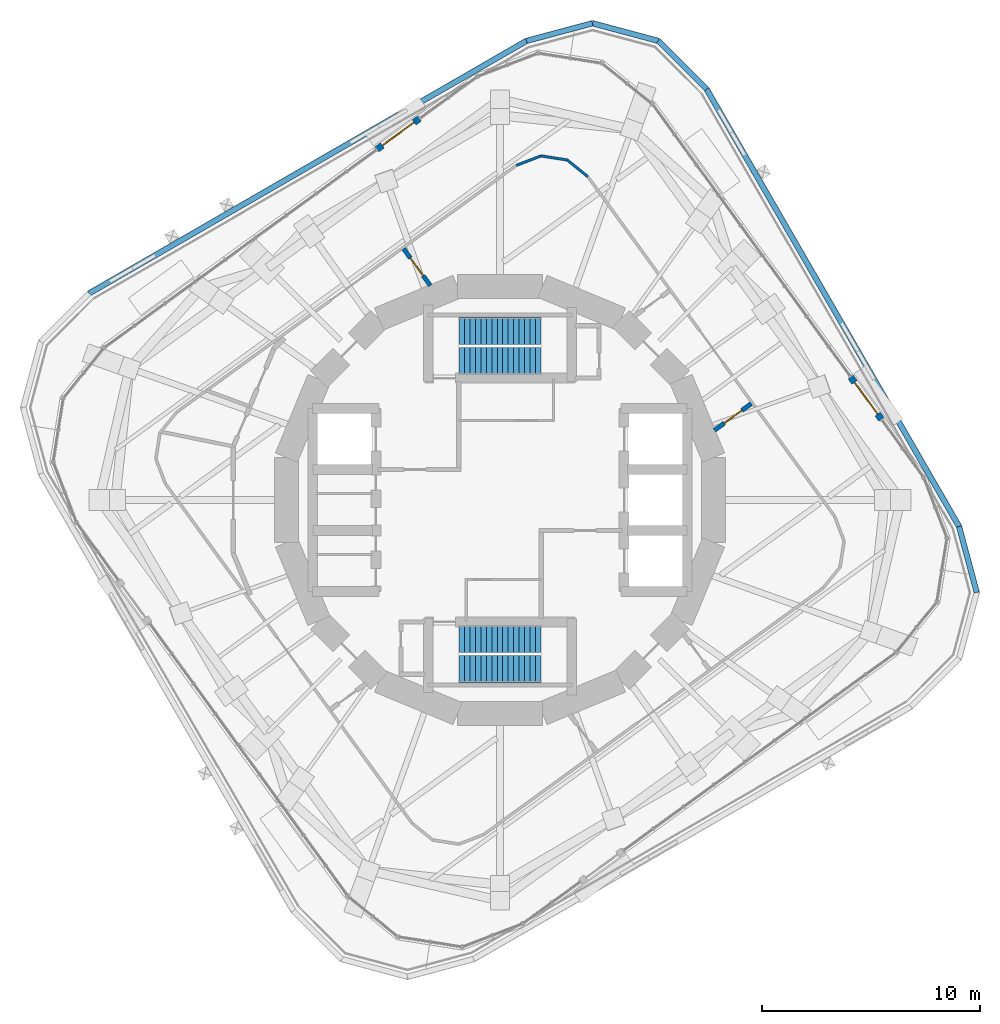
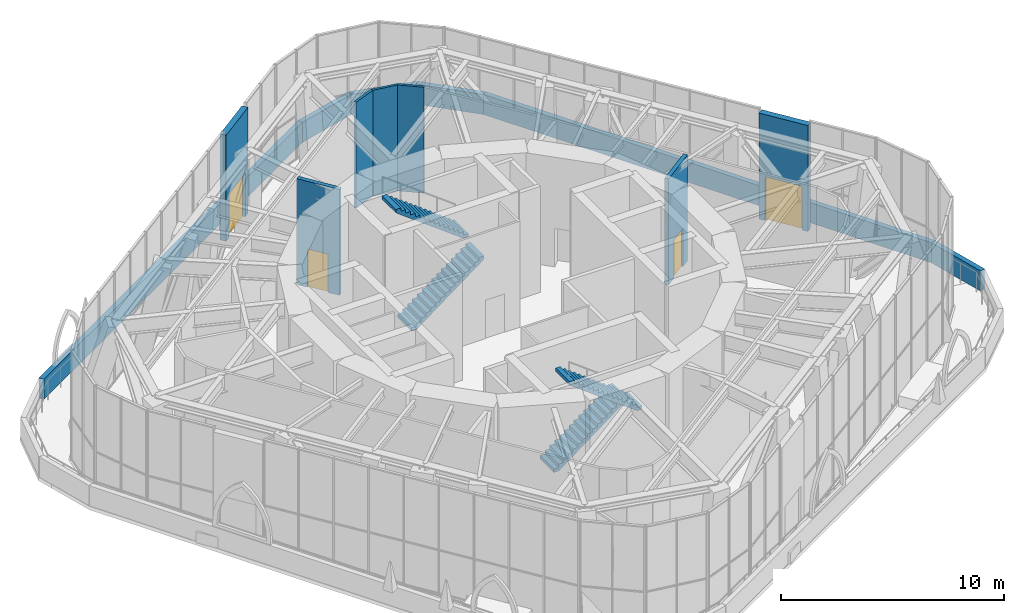
# One storey, part 15 of 18: 13 walls, 4 doors, 4 stair flights, 4 openings, 2 elements without a shape of their own.
"""IFC4 building model written with IfcOpenShell, lengths in metres."""

from ifc_helpers import new_model, si_unit, direction, frame, frame_2d, origin, place, context, subcontext, project, spatial, polyline, rectangle, outline, extrude, material, layer, layer_set, type_object, element, fill, aggregate, save


model = new_model("IFC4")

# Units and contexts
model_context = context("Model", 3, precision=1e-05, world=origin(), true_north=direction((0.0, 1.0)))
body_context = subcontext(model_context, "Body", "Model", "MODEL_VIEW")
ifc_project = project(units=[si_unit("LENGTHUNIT", "METRE"), si_unit("AREAUNIT", "SQUARE_METRE"), si_unit("VOLUMEUNIT", "CUBIC_METRE"), si_unit("PLANEANGLEUNIT", "RADIAN"), si_unit("MASSUNIT", "GRAM", prefix="KILO")], contexts=[model_context])

# Site, building, storey
site_placement = place(None, origin())
site = spatial("IfcSite", under=ifc_project, at=site_placement, CompositionType="ELEMENT")
building_placement = place(site_placement, origin())
building = spatial("IfcBuilding", under=site, at=building_placement, Name="Nakasero Lantern House", CompositionType="ELEMENT")
storey_placement = place(building_placement, frame((0.0, 0.0, 257.75)))
storey = spatial("IfcBuildingStorey", under=building, at=storey_placement, Name="L63", CompositionType="ELEMENT", Elevation=257.75)

# Wall, opening, door
ifc_material_1 = material(Name="Blockwork", Category="masonry")
ifc_layer_1 = layer(ifc_material_1, 0.199951171875)
ifc_layer_set_1 = layer_set([ifc_layer_1], Name="Corridor wall 200")
wall_type_1 = type_object("IfcWallType", Name="Corridor wall 200", PredefinedType="PARTITIONING", material=ifc_layer_set_1)
wall_1_placement = place(storey_placement, frame((-3.197021484375, 9.8466796875, 0.0), z_axis=(0.0, 0.0, 1.0), x_axis=(-0.587728553665, 0.809058185304, 0.0)))
wall_1 = element("IfcWall", 1, at=wall_1_placement, inside=storey, type_object=wall_type_1, Name="Corridor wall L63 TQ00", PredefinedType="PARTITIONING", context=body_context, shape_type="SweptSolid", body=[
    extrude(rectangle(XDim=2.096923828125, YDim=0.199951171875, at=frame_2d((1.04833984375, 0.0))), origin(), (0.0, 0.0, 1.0), 5.800048828125),
])
opening_1_placement = place(wall_1_placement, frame((0.566650390625, 0.0, 0.0)))
opening_1 = element("IfcOpeningElement", 2, at=opening_1_placement, cuts=wall_1, Name="Opening D03", PredefinedType="OPENING", context=body_context, shape_type="SweptSolid", body=[
    extrude(rectangle(XDim=1.0, YDim=2.10009765625, at=frame_2d((0.5, 1.050048828125))), frame((0.0, 0.119873046875, 0.0), z_axis=(0.0, -1.0, 0.0), x_axis=(1.0, 0.0, 0.0)), (0.0, 0.0, 1.0), 0.239990234375),
])
ifc_material_2 = material(Name="Timber C24", Category="wood")
door_type_1 = type_object("IfcDoorType", Name="Lounge door FD30S 1000", OperationType="SINGLE_SWING_LEFT", PredefinedType="DOOR", material=ifc_material_2)
door_1_placement = place(opening_1_placement, origin())
door_1 = element("IfcDoor", 3, at=door_1_placement, inside=storey, type_object=door_type_1, Name="Door L63 DQ00", OperationType="SINGLE_SWING_RIGHT", OverallHeight=2.10009765625, OverallWidth=1.0, PredefinedType="DOOR", context=body_context, shape_type="SweptSolid", body=[
    extrude(rectangle(XDim=1.0, YDim=2.10009765625, at=frame_2d((0.5, 1.050048828125))), frame((0.0, 0.02490234375, 0.0), z_axis=(0.0, -1.0, 0.0), x_axis=(1.0, 0.0, 0.0)), (0.0, 0.0, 1.0), 0.050048828125),
])
fill(opening_1, door_1)

wall_2_placement = place(storey_placement, frame((9.8466796875, 3.197021484375, 0.0), z_axis=(0.0, 0.0, 1.0), x_axis=(0.809058185304, 0.587728553665, 0.0)))
wall_2 = element("IfcWall", 4, at=wall_2_placement, inside=storey, type_object=wall_type_1, Name="Corridor wall L63 TQ31", PredefinedType="PARTITIONING", context=body_context, shape_type="SweptSolid", body=[
    extrude(rectangle(XDim=2.096923828125, YDim=0.199951171875, at=frame_2d((1.04833984375, 0.0))), origin(), (0.0, 0.0, 1.0), 5.800048828125),
])
opening_2_placement = place(wall_2_placement, frame((0.566650390625, 0.0, 0.0)))
opening_2 = element("IfcOpeningElement", 5, at=opening_2_placement, cuts=wall_2, Name="Opening D03", PredefinedType="OPENING", context=body_context, shape_type="SweptSolid", body=[
    extrude(rectangle(XDim=1.0, YDim=2.10009765625, at=frame_2d((0.5, 1.050048828125))), frame((0.0, 0.119873046875, 0.0), z_axis=(0.0, -1.0, 0.0), x_axis=(1.0, 0.0, 0.0)), (0.0, 0.0, 1.0), 0.239990234375),
])
door_2_placement = place(opening_2_placement, origin())
door_2 = element("IfcDoor", 6, at=door_2_placement, inside=storey, type_object=door_type_1, Name="Door L63 DQ31", OperationType="SINGLE_SWING_RIGHT", OverallHeight=2.10009765625, OverallWidth=1.0, PredefinedType="DOOR", context=body_context, shape_type="SweptSolid", body=[
    extrude(rectangle(XDim=1.0, YDim=2.10009765625, at=frame_2d((0.5, 1.050048828125))), frame((0.0, 0.02490234375, 0.0), z_axis=(0.0, -1.0, 0.0), x_axis=(1.0, 0.0, 0.0)), (0.0, 0.0, 1.0), 0.050048828125),
])
fill(opening_2, door_2)

ifc_material_3 = material(Name="Concrete C40/50", Category="concrete")
ifc_layer_2 = layer(ifc_material_3, 0.300048828125)
ifc_layer_set_2 = layer_set([ifc_layer_2], Name="Entrance portal wall 300")
wall_type_2 = type_object("IfcWallType", Name="Entrance portal wall 300", PredefinedType="SOLIDWALL", material=ifc_layer_set_2)
wall_3_placement = place(storey_placement, frame((17.518310546875, 3.704345703125, 0.0), z_axis=(0.0, 0.0, 1.0), x_axis=(-0.587772420479, 0.809026317077, 0.0)))
wall_3 = element("IfcWall", 7, at=wall_3_placement, inside=storey, type_object=wall_type_2, Name="Sky lounge door wall L63 0", PredefinedType="SOLIDWALL", context=body_context, shape_type="SweptSolid", body=[
    extrude(rectangle(XDim=2.39990234375, YDim=0.300048828125, at=frame_2d((1.199951171875, 0.0))), origin(), (0.0, 0.0, 1.0), 5.800048828125),
])
opening_3_placement = place(wall_3_placement, frame((0.300048828125, 0.0, 0.0)))
opening_3 = element("IfcOpeningElement", 8, at=opening_3_placement, cuts=wall_3, Name="Opening D10", PredefinedType="OPENING", context=body_context, shape_type="SweptSolid", body=[
    extrude(rectangle(XDim=1.800048828125, YDim=2.39990234375, at=frame_2d((0.89990234375, 1.199951171875))), frame((0.0, 0.169921875, 0.0), z_axis=(0.0, -1.0, 0.0), x_axis=(1.0, 0.0, 0.0)), (0.0, 0.0, 1.0), 0.340087890625),
])
ifc_material_4 = material(Name="Aluminium 6063-T6 and glass", Category="aluminium")
door_type_2 = type_object("IfcDoorType", Name="Sky garden doors 1800x2400", OperationType="DOUBLE_DOOR_SINGLE_SWING", PredefinedType="DOOR", material=ifc_material_4)
door_3_placement = place(opening_3_placement, origin())
door_3 = element("IfcDoor", 9, at=door_3_placement, inside=storey, type_object=door_type_2, Name="Sky garden door L63 0", OperationType="DOUBLE_DOOR_SINGLE_SWING", OverallHeight=2.39990234375, OverallWidth=1.800048828125, PredefinedType="DOOR", context=body_context, shape_type="SweptSolid", body=[
    extrude(rectangle(XDim=1.800048828125, YDim=2.39990234375, at=frame_2d((0.89990234375, 1.199951171875))), frame((0.0, 0.02490234375, 0.0), z_axis=(0.0, -1.0, 0.0), x_axis=(1.0, 0.0, 0.0)), (0.0, 0.0, 1.0), 0.050048828125),
])
fill(opening_3, door_3)

wall_4_placement = place(storey_placement, frame((-3.704345703125, 17.518310546875, 0.0), z_axis=(0.0, 0.0, 1.0), x_axis=(-0.809026317077, -0.587772420479, 0.0)))
wall_4 = element("IfcWall", 10, at=wall_4_placement, inside=storey, type_object=wall_type_2, Name="Sky lounge door wall L63 1", PredefinedType="SOLIDWALL", context=body_context, shape_type="SweptSolid", body=[
    extrude(rectangle(XDim=2.39990234375, YDim=0.300048828125, at=frame_2d((1.199951171875, 0.0))), origin(), (0.0, 0.0, 1.0), 5.800048828125),
])
opening_4_placement = place(wall_4_placement, frame((0.300048828125, 0.0, 0.0)))
opening_4 = element("IfcOpeningElement", 11, at=opening_4_placement, cuts=wall_4, Name="Opening D10", PredefinedType="OPENING", context=body_context, shape_type="SweptSolid", body=[
    extrude(rectangle(XDim=1.800048828125, YDim=2.39990234375, at=frame_2d((0.89990234375, 1.199951171875))), frame((0.0, 0.169921875, 0.0), z_axis=(0.0, -1.0, 0.0), x_axis=(1.0, 0.0, 0.0)), (0.0, 0.0, 1.0), 0.340087890625),
])
door_4_placement = place(opening_4_placement, origin())
door_4 = element("IfcDoor", 12, at=door_4_placement, inside=storey, type_object=door_type_2, Name="Sky garden door L63 1", OperationType="DOUBLE_DOOR_SINGLE_SWING", OverallHeight=2.39990234375, OverallWidth=1.800048828125, PredefinedType="DOOR", context=body_context, shape_type="SweptSolid", body=[
    extrude(rectangle(XDim=1.800048828125, YDim=2.39990234375, at=frame_2d((0.89990234375, 1.199951171875))), frame((0.0, 0.02490234375, 0.0), z_axis=(0.0, -1.0, 0.0), x_axis=(1.0, 0.0, 0.0)), (0.0, 0.0, 1.0), 0.050048828125),
])
fill(opening_4, door_4)

# Walls
ifc_material_5 = material(Name="Aluminium 6063-T6 and glass", Category="aluminium")
ifc_layer_3 = layer(ifc_material_5, 0.1201171875)
ifc_layer_set_3 = layer_set([ifc_layer_3], Name="Glazed screen 120")
wall_type_3 = type_object("IfcWallType", Name="Glazed screen 120", PredefinedType="PARTITIONING", material=ifc_layer_set_3)
wall_5_placement = place(storey_placement, frame((4.034423828125, 14.849609375, 0.0), z_axis=(0.0, 0.0, 1.0), x_axis=(-0.777272911572, 0.629163588375, 0.0)))
element("IfcWall", 13, at=wall_5_placement, inside=storey, type_object=wall_type_3, Name="Glazed screen L63 WG0C1", PredefinedType="PARTITIONING", context=body_context, shape_type="SweptSolid", body=[
    extrude(rectangle(XDim=1.216552734375, YDim=0.1201171875, at=frame_2d((0.6083984375, 0.0))), origin(), (0.0, 0.0, 1.0), 5.800048828125),
])
for number, where, z_axis, x_axis, name in (
    (14, (3.0888671875, 15.614990234375, 0.0), (0.0, 0.0, 1.0), (-0.987670032306, 0.156550015281, 0.0), "Glazed screen L63 WG0C2"),
    (15, (1.887451171875, 15.805419921875, 0.0), (0.0, 0.0, 1.0), (-0.933536879349, -0.358481373149, 0.0), "Glazed screen L63 WG0C3"),
):
    element("IfcWall", number, at=place(storey_placement, frame(where, z_axis=z_axis, x_axis=x_axis)), inside=storey, type_object=wall_type_3, Name=name, PredefinedType="PARTITIONING", context=body_context, shape_type="SweptSolid", body=[
        extrude(rectangle(XDim=1.21630859375, YDim=0.1201171875, at=frame_2d((0.608154296875, 0.0))), origin(), (0.0, 0.0, 1.0), 5.800048828125),
    ])
ifc_material_6 = material(Name="Concrete C35/45", Category="concrete")
ifc_layer_4 = layer(ifc_material_6, 0.25)
ifc_layer_set_4 = layer_set([ifc_layer_4], Name="Parapet 250")
wall_type_4 = type_object("IfcWallType", Name="Parapet 250", PredefinedType="SOLIDWALL", material=ifc_layer_set_4)
wall_6_placement = place(storey_placement, frame((21.08544921875, -1.220947265625, 0.0), z_axis=(0.0, 0.0, 1.0), x_axis=(-0.500003016864, 0.86602366199, 0.0)))
element("IfcWall", 16, at=wall_6_placement, inside=storey, type_object=wall_type_4, Name="Parapet L63 PP0S", PredefinedType="SOLIDWALL", context=body_context, shape_type="SweptSolid", body=[
    extrude(rectangle(XDim=23.199951171875, YDim=0.25, at=frame_2d((11.60009765625, 0.0))), origin(), (0.0, 0.0, 1.0), 1.10009765625),
])
for number, where, z_axis, x_axis, name in (
    (17, (9.4853515625, 18.870849609375, 0.0), (0.0, 0.0, 1.0), (-0.707067801733, 0.707145758492, 0.0), "Parapet L63 PP0C1"),
    (18, (7.27099609375, 21.08544921875, 0.0), (0.0, 0.0, 1.0), (-0.965928914048, 0.258807521156, 0.0), "Parapet L63 PP0C2"),
):
    element("IfcWall", number, at=place(storey_placement, frame(where, z_axis=z_axis, x_axis=x_axis)), inside=storey, type_object=wall_type_4, Name=name, PredefinedType="SOLIDWALL", context=body_context, shape_type="SweptSolid", body=[
        extrude(rectangle(XDim=3.1318359375, YDim=0.25, at=frame_2d((1.56591796875, 0.0))), origin(), (0.0, 0.0, 1.0), 1.10009765625),
    ])
wall_7_placement = place(storey_placement, frame((4.245849609375, 21.89599609375, 0.0), z_axis=(0.0, 0.0, 1.0), x_axis=(-0.96592369199, -0.258827010283, 0.0)))
element("IfcWall", 19, at=wall_7_placement, inside=storey, type_object=wall_type_4, Name="Parapet L63 PP0C3", PredefinedType="SOLIDWALL", context=body_context, shape_type="SweptSolid", body=[
    extrude(rectangle(XDim=3.131591796875, YDim=0.25, at=frame_2d((1.56591796875, 0.0))), origin(), (0.0, 0.0, 1.0), 1.10009765625),
])
wall_8_placement = place(storey_placement, frame((1.220947265625, 21.08544921875, 0.0), z_axis=(0.0, 0.0, 1.0), x_axis=(-0.86602366199, -0.500003016864, 0.0)))
element("IfcWall", 20, at=wall_8_placement, inside=storey, type_object=wall_type_4, Name="Parapet L63 PP1S", PredefinedType="SOLIDWALL", context=body_context, shape_type="SweptSolid", body=[
    extrude(rectangle(XDim=23.199951171875, YDim=0.25, at=frame_2d((11.60009765625, 0.0))), origin(), (0.0, 0.0, 1.0), 1.10009765625),
])
wall_9_placement = place(storey_placement, frame((21.89599609375, -4.245849609375, 0.0), z_axis=(0.0, 0.0, 1.0), x_axis=(-0.258827010283, 0.96592369199, 0.0)))
element("IfcWall", 21, at=wall_9_placement, inside=storey, type_object=wall_type_4, Name="Parapet L63 PP3C3", PredefinedType="SOLIDWALL", context=body_context, shape_type="SweptSolid", body=[
    extrude(rectangle(XDim=3.131591796875, YDim=0.25, at=frame_2d((1.56591796875, 0.0))), origin(), (0.0, 0.0, 1.0), 1.10009765625),
])

# Stair, stair flights
ifc_material_7 = material(Name="Concrete C40/50", Category="concrete")
stair_type_1 = type_object("IfcStairType", Name="Escape stair ST1 32 risers", PredefinedType="HALF_TURN_STAIR", material=ifc_material_7)
stair_1_placement = place(storey_placement, origin())
stair_1 = element("IfcStair", 22, at=stair_1_placement, inside=storey, type_object=stair_type_1, Name="Escape stair ST1 L63", PredefinedType="HALF_TURN_STAIR")
ifc_material_8 = material(Name="Concrete C40/50", Category="concrete")
stair_flight_type = type_object("IfcStairFlightType", Name="Escape stair flight", PredefinedType="STRAIGHT", material=ifc_material_8)
stair_flight_1_placement = place(storey_placement, frame((-1.875, 6.375, 0.0), z_axis=(0.0, 0.0, 1.0), x_axis=(1.0, 0.0, 0.0)))
stair_flight_1 = element("IfcStairFlight", 23, at=stair_flight_1_placement, type_object=stair_flight_type, Name="ST1 flight 1", NumberOfRisers=16, NumberOfTreads=15, PredefinedType="STRAIGHT", RiserHeight=0.1875, TreadLength=0.25, context=body_context, shape_type="SweptSolid", body=[
    extrude(outline(polyline([(0.0, 0.0), (0.0, 0.1875), (0.25, 0.1875), (0.25, 0.375), (0.5, 0.375), (0.5, 0.5625), (0.75, 0.5625), (0.75, 0.75), (1.0, 0.75), (1.0, 0.9375), (1.25, 0.9375), (1.25, 1.125), (1.5, 1.125), (1.5, 1.3125), (1.75, 1.3125), (1.75, 1.5), (2.0, 1.5), (2.0, 1.6875), (2.25, 1.6875), (2.25, 1.875), (2.5, 1.875), (2.5, 2.0625), (2.75, 2.0625), (2.75, 2.25), (3.0, 2.25), (3.0, 2.4375), (3.25, 2.4375), (3.25, 2.625), (3.5, 2.625), (3.5, 2.8125), (3.75, 2.8125), (3.75, 3.0), (3.75, 2.625), (0.249755859375, 0.0), (0.0, 0.0)])), frame((0.0, 0.625, 0.0), z_axis=(0.0, -1.0, 0.0), x_axis=(1.0, 0.0, 0.0)), (0.0, 0.0, 1.0), 1.25),
])
stair_flight_2_placement = place(storey_placement, frame((1.875, 7.77490234375, 3.0), z_axis=(0.0, 0.0, 1.0), x_axis=(-1.0, 0.0, 0.0)))
stair_flight_2 = element("IfcStairFlight", 24, at=stair_flight_2_placement, type_object=stair_flight_type, Name="ST1 flight 2", NumberOfRisers=16, NumberOfTreads=15, PredefinedType="STRAIGHT", RiserHeight=0.1875, TreadLength=0.25, context=body_context, shape_type="SweptSolid", body=[
    extrude(outline(polyline([(0.0, 0.0), (0.0, 0.1875), (0.25, 0.1875), (0.25, 0.375), (0.5, 0.375), (0.5, 0.5625), (0.75, 0.5625), (0.75, 0.75), (1.0, 0.75), (1.0, 0.9375), (1.25, 0.9375), (1.25, 1.125), (1.5, 1.125), (1.5, 1.3125), (1.75, 1.3125), (1.75, 1.5), (2.0, 1.5), (2.0, 1.6875), (2.25, 1.6875), (2.25, 1.875), (2.5, 1.875), (2.5, 2.0625), (2.75, 2.0625), (2.75, 2.25), (3.0, 2.25), (3.0, 2.4375), (3.25, 2.4375), (3.25, 2.625), (3.5, 2.625), (3.5, 2.8125), (3.75, 2.8125), (3.75, 3.0), (3.75, 2.625), (0.249755859375, 0.0), (0.0, 0.0)])), frame((0.0, 0.625, 0.0), z_axis=(0.0, -1.0, 0.0), x_axis=(1.0, 0.0, 0.0)), (0.0, 0.0, 1.0), 1.25),
])
aggregate(stair_1, [stair_flight_1, stair_flight_2])

ifc_material_9 = material(Name="Concrete C40/50", Category="concrete")
stair_type_2 = type_object("IfcStairType", Name="Escape stair ST2 32 risers", PredefinedType="HALF_TURN_STAIR", material=ifc_material_9)
stair_2_placement = place(storey_placement, origin())
stair_2 = element("IfcStair", 25, at=stair_2_placement, inside=storey, type_object=stair_type_2, Name="Escape stair ST2 L63", PredefinedType="HALF_TURN_STAIR")
stair_flight_3_placement = place(storey_placement, frame((-1.875, -6.375, 0.0), z_axis=(0.0, 0.0, 1.0), x_axis=(1.0, 0.0, 0.0)))
stair_flight_3 = element("IfcStairFlight", 26, at=stair_flight_3_placement, type_object=stair_flight_type, Name="ST2 flight 1", NumberOfRisers=16, NumberOfTreads=15, PredefinedType="STRAIGHT", RiserHeight=0.1875, TreadLength=0.25, context=body_context, shape_type="SweptSolid", body=[
    extrude(outline(polyline([(0.0, 0.0), (0.0, 0.1875), (0.25, 0.1875), (0.25, 0.375), (0.5, 0.375), (0.5, 0.5625), (0.75, 0.5625), (0.75, 0.75), (1.0, 0.75), (1.0, 0.9375), (1.25, 0.9375), (1.25, 1.125), (1.5, 1.125), (1.5, 1.3125), (1.75, 1.3125), (1.75, 1.5), (2.0, 1.5), (2.0, 1.6875), (2.25, 1.6875), (2.25, 1.875), (2.5, 1.875), (2.5, 2.0625), (2.75, 2.0625), (2.75, 2.25), (3.0, 2.25), (3.0, 2.4375), (3.25, 2.4375), (3.25, 2.625), (3.5, 2.625), (3.5, 2.8125), (3.75, 2.8125), (3.75, 3.0), (3.75, 2.625), (0.249755859375, 0.0), (0.0, 0.0)])), frame((0.0, 0.625, 0.0), z_axis=(0.0, -1.0, 0.0), x_axis=(1.0, 0.0, 0.0)), (0.0, 0.0, 1.0), 1.25),
])
stair_flight_4_placement = place(storey_placement, frame((1.875, -7.77490234375, 3.0), z_axis=(0.0, 0.0, 1.0), x_axis=(-1.0, 0.0, 0.0)))
stair_flight_4 = element("IfcStairFlight", 27, at=stair_flight_4_placement, type_object=stair_flight_type, Name="ST2 flight 2", NumberOfRisers=16, NumberOfTreads=15, PredefinedType="STRAIGHT", RiserHeight=0.1875, TreadLength=0.25, context=body_context, shape_type="SweptSolid", body=[
    extrude(outline(polyline([(0.0, 0.0), (0.0, 0.1875), (0.25, 0.1875), (0.25, 0.375), (0.5, 0.375), (0.5, 0.5625), (0.75, 0.5625), (0.75, 0.75), (1.0, 0.75), (1.0, 0.9375), (1.25, 0.9375), (1.25, 1.125), (1.5, 1.125), (1.5, 1.3125), (1.75, 1.3125), (1.75, 1.5), (2.0, 1.5), (2.0, 1.6875), (2.25, 1.6875), (2.25, 1.875), (2.5, 1.875), (2.5, 2.0625), (2.75, 2.0625), (2.75, 2.25), (3.0, 2.25), (3.0, 2.4375), (3.25, 2.4375), (3.25, 2.625), (3.5, 2.625), (3.5, 2.8125), (3.75, 2.8125), (3.75, 3.0), (3.75, 2.625), (0.249755859375, 0.0), (0.0, 0.0)])), frame((0.0, 0.625, 0.0), z_axis=(0.0, -1.0, 0.0), x_axis=(1.0, 0.0, 0.0)), (0.0, 0.0, 1.0), 1.25),
])
aggregate(stair_2, [stair_flight_3, stair_flight_4])

save(model, "model.ifc")
